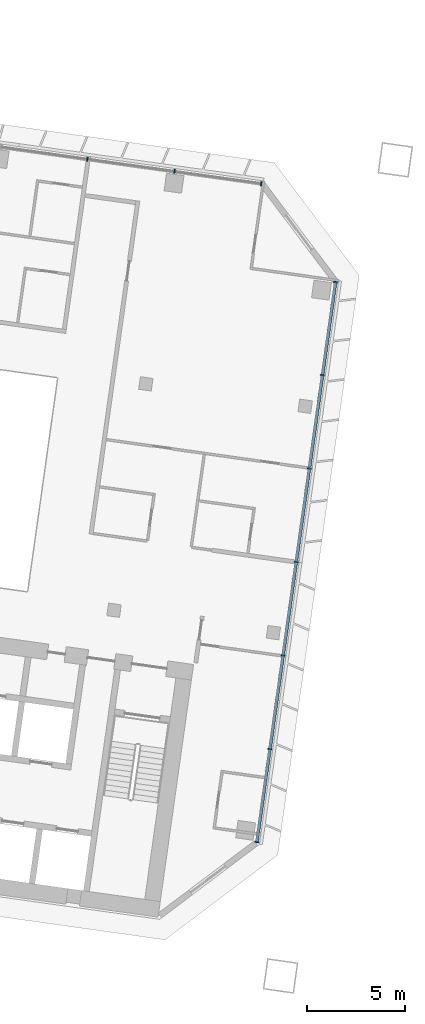
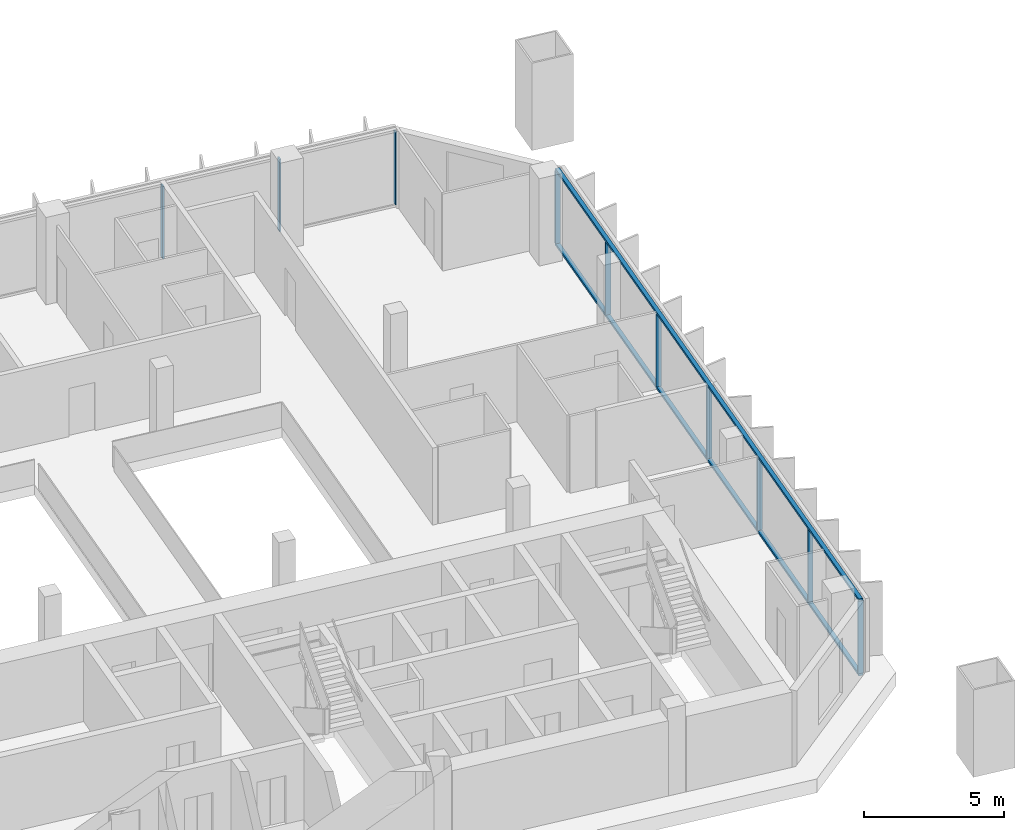
# One storey, part 6 of 24: 12 members, 2 elements without a shape of their own.
"""IFC4 building model written with IfcOpenShell, lengths in metres."""

from ifc_helpers import new_model, si_unit, direction, frame, origin, origin_2d, place, context, subcontext, project, spatial, rectangle, extrude, material, material_profile, profile_set, type_object, element, aggregate, save


model = new_model("IFC4")

# Units and contexts
model_context = context("Model", 3, precision=1e-05, world=origin(), true_north=direction((0.0, 1.0)))
body_context = subcontext(model_context, "Body", "Model", "MODEL_VIEW")
ifc_project = project(units=[si_unit("LENGTHUNIT", "METRE"), si_unit("AREAUNIT", "SQUARE_METRE"), si_unit("VOLUMEUNIT", "CUBIC_METRE"), si_unit("PLANEANGLEUNIT", "RADIAN"), si_unit("MASSUNIT", "GRAM", prefix="KILO")], contexts=[model_context])

# Site, building, storey
site_placement = place(None, origin())
site = spatial("IfcSite", under=ifc_project, at=site_placement, CompositionType="ELEMENT")
building_placement = place(site_placement, origin())
building = spatial("IfcBuilding", under=site, at=building_placement, Name="Mirante Cascada Hotel Towers", CompositionType="ELEMENT")
storey_placement = place(building_placement, frame((0.0, 0.0, 110.1)))
storey = spatial("IfcBuildingStorey", under=building, at=storey_placement, Name="L24", CompositionType="ELEMENT", Elevation=110.1)

# Curtain wall, members
ifc_material_1 = material(Name="Aluminium mullion and transom frame with clear laminated glass", Category="aluminium")
curtain_wall_type_1 = type_object("IfcCurtainWallType", Name="Ribbon curtain wall ECW1", PredefinedType="NOTDEFINED", material=ifc_material_1)
curtain_wall_1_placement = place(storey_placement, origin())
curtain_wall_1 = element("IfcCurtainWall", 1, at=curtain_wall_1_placement, inside=storey, type_object=curtain_wall_type_1, Name="Front ribbon wall T1 L24", PredefinedType="NOTDEFINED")
ifc_material_2 = material(Name="Anodised aluminium extrusion", Category="aluminium")
ifc_material_profile_1 = material_profile(ifc_material_2, rectangle(XDim=0.2, YDim=0.065, at=origin_2d()), Name="ECW1 MULLION 65x200")
ifc_profile_set_1 = profile_set([ifc_material_profile_1], Name="Anodised aluminium extrusion")
member_type_1 = type_object("IfcMemberType", Name="ECW1 mullion 65x200", PredefinedType="MULLION", material=ifc_profile_set_1)
member_1_placement = place(storey_placement, frame((-40.7892, 18.5516, 0.1), z_axis=(0.0, 0.0, 1.0), x_axis=(0.1391731, 0.9902681, 0.0)))
member_1 = element("IfcMember", 2, at=member_1_placement, type_object=member_type_1, Name="ECW1 mullion 13", PredefinedType="MULLION", context=body_context, shape_type="SweptSolid", body=[
    extrude(rectangle(XDim=0.2, YDim=0.065, at=origin_2d()), origin(), (0.0, 0.0, 1.0), 3.15),
])
member_2_placement = place(storey_placement, frame((-36.3417, 17.9265, 0.1), z_axis=(0.0, 0.0, 1.0), x_axis=(0.1391731, 0.9902681, 0.0)))
member_2 = element("IfcMember", 3, at=member_2_placement, type_object=member_type_1, Name="ECW1 mullion 14", PredefinedType="MULLION", context=body_context, shape_type="SweptSolid", body=[
    extrude(rectangle(XDim=0.2, YDim=0.065, at=origin_2d()), origin(), (0.0, 0.0, 1.0), 3.15),
])
member_3_placement = place(storey_placement, frame((-31.9265, 17.306, 0.1), z_axis=(0.0, 0.0, 1.0), x_axis=(0.1391731, 0.9902681, 0.0)))
member_3 = element("IfcMember", 4, at=member_3_placement, type_object=member_type_1, Name="ECW1 mullion 15", PredefinedType="MULLION", context=body_context, shape_type="SweptSolid", body=[
    extrude(rectangle(XDim=0.2, YDim=0.065, at=origin_2d()), origin(), (0.0, 0.0, 1.0), 3.15),
])
aggregate(curtain_wall_1, [member_1, member_2, member_3])

ifc_material_3 = material(Name="Aluminium mullion and transom frame with clear laminated glass", Category="aluminium")
curtain_wall_type_2 = type_object("IfcCurtainWallType", Name="End ribbon curtain wall ECW2", PredefinedType="NOTDEFINED", material=ifc_material_3)
curtain_wall_2_placement = place(storey_placement, origin())
curtain_wall_2 = element("IfcCurtainWall", 5, at=curtain_wall_2_placement, inside=storey, type_object=curtain_wall_type_2, Name="Inner end wall T1 L24", PredefinedType="NOTDEFINED")
ifc_material_4 = material(Name="Anodised aluminium extrusion", Category="aluminium")
ifc_material_profile_2 = material_profile(ifc_material_4, rectangle(XDim=0.2, YDim=0.065, at=origin_2d()), Name="ECW2 MULLION 65x200")
ifc_profile_set_2 = profile_set([ifc_material_profile_2], Name="Anodised aluminium extrusion")
member_type_2 = type_object("IfcMemberType", Name="ECW2 mullion 65x200", PredefinedType="MULLION", material=ifc_profile_set_2)
member_4_placement = place(storey_placement, frame((-28.1437, 12.2861, 0.1), z_axis=(0.0, 0.0, 1.0), x_axis=(0.9902681, -0.1391731, 0.0)))
member_4 = element("IfcMember", 6, at=member_4_placement, type_object=member_type_2, Name="ECW2 mullion 1", PredefinedType="MULLION", context=body_context, shape_type="SweptSolid", body=[
    extrude(rectangle(XDim=0.2, YDim=0.065, at=origin_2d()), origin(), (0.0, 0.0, 1.0), 3.15),
])
member_5_placement = place(storey_placement, frame((-28.809, 7.5524, 0.1), z_axis=(0.0, 0.0, 1.0), x_axis=(0.9902681, -0.1391731, 0.0)))
member_5 = element("IfcMember", 7, at=member_5_placement, type_object=member_type_2, Name="ECW2 mullion 2", PredefinedType="MULLION", context=body_context, shape_type="SweptSolid", body=[
    extrude(rectangle(XDim=0.2, YDim=0.065, at=origin_2d()), origin(), (0.0, 0.0, 1.0), 3.15),
])
member_6_placement = place(storey_placement, frame((-29.4788, 2.7867, 0.1), z_axis=(0.0, 0.0, 1.0), x_axis=(0.9902681, -0.1391731, 0.0)))
member_6 = element("IfcMember", 8, at=member_6_placement, type_object=member_type_2, Name="ECW2 mullion 3", PredefinedType="MULLION", context=body_context, shape_type="SweptSolid", body=[
    extrude(rectangle(XDim=0.2, YDim=0.065, at=origin_2d()), origin(), (0.0, 0.0, 1.0), 3.15),
])
member_7_placement = place(storey_placement, frame((-30.1485, -1.9791, 0.1), z_axis=(0.0, 0.0, 1.0), x_axis=(0.9902681, -0.1391731, 0.0)))
member_7 = element("IfcMember", 9, at=member_7_placement, type_object=member_type_2, Name="ECW2 mullion 4", PredefinedType="MULLION", context=body_context, shape_type="SweptSolid", body=[
    extrude(rectangle(XDim=0.2, YDim=0.065, at=origin_2d()), origin(), (0.0, 0.0, 1.0), 3.15),
])
member_8_placement = place(storey_placement, frame((-30.8183, -6.7449, 0.1), z_axis=(0.0, 0.0, 1.0), x_axis=(0.9902681, -0.1391731, 0.0)))
member_8 = element("IfcMember", 10, at=member_8_placement, type_object=member_type_2, Name="ECW2 mullion 5", PredefinedType="MULLION", context=body_context, shape_type="SweptSolid", body=[
    extrude(rectangle(XDim=0.2, YDim=0.065, at=origin_2d()), origin(), (0.0, 0.0, 1.0), 3.15),
])
member_9_placement = place(storey_placement, frame((-31.4881, -11.5107, 0.1), z_axis=(0.0, 0.0, 1.0), x_axis=(0.9902681, -0.1391731, 0.0)))
member_9 = element("IfcMember", 11, at=member_9_placement, type_object=member_type_2, Name="ECW2 mullion 6", PredefinedType="MULLION", context=body_context, shape_type="SweptSolid", body=[
    extrude(rectangle(XDim=0.2, YDim=0.065, at=origin_2d()), origin(), (0.0, 0.0, 1.0), 3.15),
])
member_10_placement = place(storey_placement, frame((-32.1534, -16.2443, 0.1), z_axis=(0.0, 0.0, 1.0), x_axis=(0.9902681, -0.1391731, 0.0)))
member_10 = element("IfcMember", 12, at=member_10_placement, type_object=member_type_2, Name="ECW2 mullion 7", PredefinedType="MULLION", context=body_context, shape_type="SweptSolid", body=[
    extrude(rectangle(XDim=0.2, YDim=0.065, at=origin_2d()), origin(), (0.0, 0.0, 1.0), 3.15),
])
ifc_material_5 = material(Name="Anodised aluminium extrusion", Category="aluminium")
ifc_material_profile_3 = material_profile(ifc_material_5, rectangle(XDim=0.16, YDim=0.1, at=origin_2d()), Name="ECW2 TRANSOM 100x160")
ifc_profile_set_3 = profile_set([ifc_material_profile_3], Name="Anodised aluminium extrusion")
member_type_3 = type_object("IfcMemberType", Name="ECW2 transom 100x160", PredefinedType="USERDEFINED", material=ifc_profile_set_3)
member_11_placement = place(storey_placement, frame((-28.1392, 12.3182, 0.05), z_axis=(-0.1391723, -0.9902682, 0.0), x_axis=(0.9902682, -0.1391723, 0.0)))
member_11 = element("IfcMember", 13, at=member_11_placement, type_object=member_type_3, Name="ECW2 sill transom", ObjectType="TRANSOM", PredefinedType="USERDEFINED", context=body_context, shape_type="SweptSolid", body=[
    extrude(rectangle(XDim=0.16, YDim=0.1, at=origin_2d()), origin(), (0.0, 0.0, 1.0), 28.8757),
])
member_12_placement = place(storey_placement, frame((-28.1392, 12.3182, 3.3), z_axis=(-0.1391723, -0.9902682, 0.0), x_axis=(0.9902682, -0.1391723, 0.0)))
member_12 = element("IfcMember", 14, at=member_12_placement, type_object=member_type_3, Name="ECW2 head transom", ObjectType="TRANSOM", PredefinedType="USERDEFINED", context=body_context, shape_type="SweptSolid", body=[
    extrude(rectangle(XDim=0.16, YDim=0.1, at=origin_2d()), origin(), (0.0, 0.0, 1.0), 28.8757),
])
aggregate(curtain_wall_2, [member_11, member_12, member_4, member_5, member_6, member_7, member_8, member_9, member_10])

save(model, "model.ifc")
